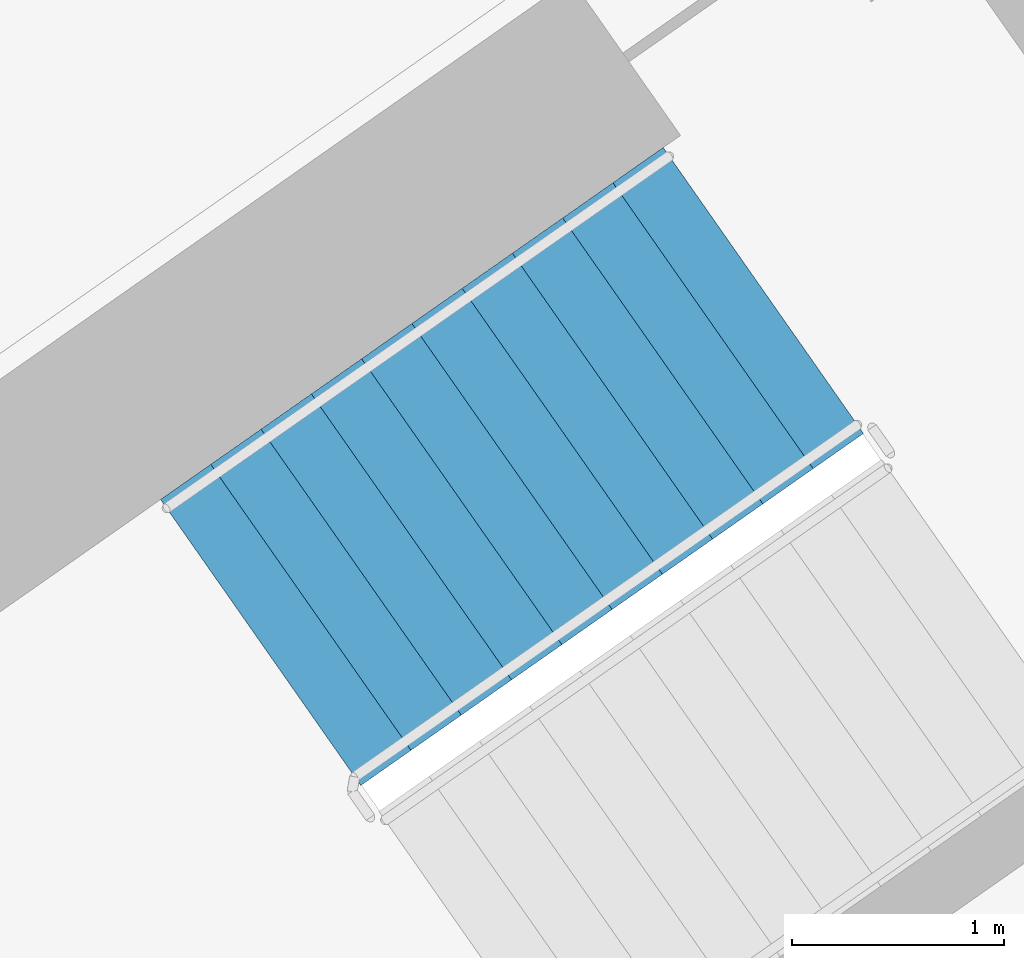
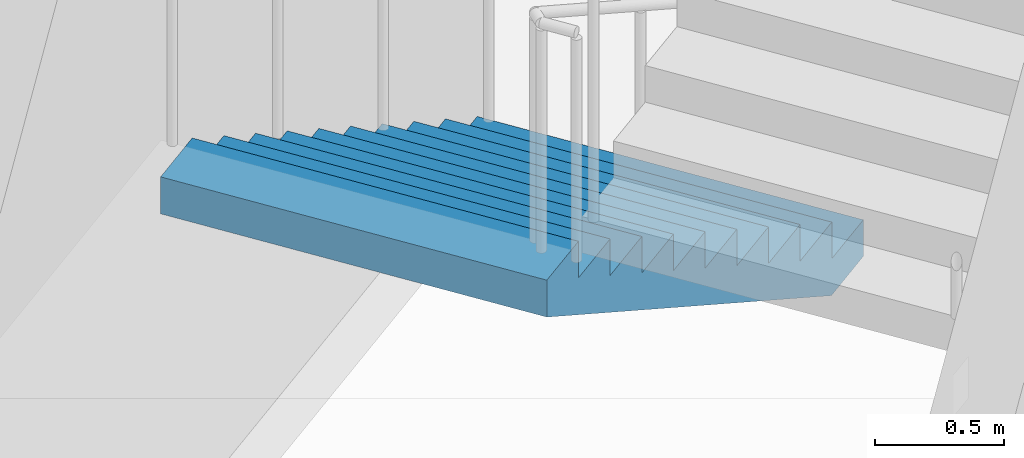
# One storey, part 14 of 29: 1 stair flight, 1 element without a shape of its own.
"""IFC4 building model written with IfcOpenShell, lengths in metres."""

from ifc_helpers import new_model, si_unit, direction, frame, origin, place, context, subcontext, project, spatial, faceted_brep, material, type_object, element, aggregate, save


model = new_model("IFC4")

# Units and contexts
model_context = context("Model", 3, precision=1e-05, world=origin(), true_north=direction((0.0, 1.0)))
body_context = subcontext(model_context, "Body", "Model", "MODEL_VIEW")
ifc_project = project(units=[si_unit("LENGTHUNIT", "METRE"), si_unit("AREAUNIT", "SQUARE_METRE"), si_unit("VOLUMEUNIT", "CUBIC_METRE"), si_unit("PLANEANGLEUNIT", "RADIAN"), si_unit("MASSUNIT", "GRAM", prefix="KILO")], contexts=[model_context])

# Site, building, storey
site_placement = place(None, origin())
site = spatial("IfcSite", under=ifc_project, at=site_placement, CompositionType="ELEMENT")
building_placement = place(site_placement, origin())
building = spatial("IfcBuilding", under=site, at=building_placement, Name="Qamariyya Broadcast Tower", CompositionType="ELEMENT")
storey_placement = place(building_placement, frame((0.0, 0.0, 44.300048828125)))
storey = spatial("IfcBuildingStorey", under=building, at=storey_placement, Name="L07", CompositionType="ELEMENT", Elevation=44.300048828125)

# Stair, stair flight
ifc_material = material(Name="Concrete C50/60", Category="concrete")
stair_type = type_object("IfcStairType", Name="Exit stair 22 risers of 173 mm", PredefinedType="HALF_TURN_STAIR", material=ifc_material)
stair_placement = place(storey_placement, origin())
stair = element("IfcStair", 1, at=stair_placement, inside=storey, type_object=stair_type, Name="L07 Stair E2", PredefinedType="HALF_TURN_STAIR")
stair_flight_type = type_object("IfcStairFlightType", Name="Exit stair flight 11 risers of 173 mm", PredefinedType="STRAIGHT", material=ifc_material)
stair_flight_placement = place(storey_placement, frame((40.558837890625, -47.685302734375, 0.0), z_axis=(0.0, 0.0, 1.0), x_axis=(-0.819152044289, -0.573576436351, 0.0)))
stair_flight = element("IfcStairFlight", 2, at=stair_flight_placement, type_object=stair_flight_type, Name="ST-E2 flight 1", NumberOfRisers=11, NumberOfTreads=10, PredefinedType="STRAIGHT", RiserHeight=0.172727273, TreadLength=0.29, context=body_context, shape_type="Brep", body=[
    faceted_brep([(0.0, 0.824951171875, 0.0), (0.0, 0.824951171875, 0.172607421875), (0.2900390625, 0.824951171875, 0.172607421875), (0.2900390625, 0.824951171875, 0.345458984375), (0.580078125, 0.824951171875, 0.345458984375), (0.580078125, 0.824951171875, 0.51806640625), (0.8701171875, 0.824951171875, 0.51806640625), (0.8701171875, 0.824951171875, 0.69091796875), (1.159912109375, 0.824951171875, 0.69091796875), (1.159912109375, 0.824951171875, 0.863525390625), (1.449951171875, 0.824951171875, 0.863525390625), (1.449951171875, 0.824951171875, 1.036376953125), (1.739990234375, 0.824951171875, 1.036376953125), (1.739990234375, 0.824951171875, 1.208984375), (2.030029296875, 0.824951171875, 1.208984375), (2.030029296875, 0.824951171875, 1.3818359375), (2.320068359375, 0.824951171875, 1.3818359375), (2.320068359375, 0.824951171875, 1.554443359375), (2.610107421875, 0.824951171875, 1.554443359375), (2.610107421875, 0.824951171875, 1.727294921875), (2.89990234375, 0.824951171875, 1.727294921875), (2.89990234375, 0.824951171875, 1.552734375), (0.29296875, 0.824951171875, 0.0), (0.29296875, -0.824951171875, 0.0), (2.89990234375, -0.824951171875, 1.552734375), (2.89990234375, -0.824951171875, 1.727294921875), (2.610107421875, -0.824951171875, 1.727294921875), (2.610107421875, -0.824951171875, 1.554443359375), (2.320068359375, -0.824951171875, 1.554443359375), (2.320068359375, -0.824951171875, 1.3818359375), (2.030029296875, -0.824951171875, 1.3818359375), (2.030029296875, -0.824951171875, 1.208984375), (1.739990234375, -0.824951171875, 1.208984375), (1.739990234375, -0.824951171875, 1.036376953125), (1.449951171875, -0.824951171875, 1.036376953125), (1.449951171875, -0.824951171875, 0.863525390625), (1.159912109375, -0.824951171875, 0.863525390625), (1.159912109375, -0.824951171875, 0.69091796875), (0.8701171875, -0.824951171875, 0.69091796875), (0.8701171875, -0.824951171875, 0.51806640625), (0.580078125, -0.824951171875, 0.51806640625), (0.580078125, -0.824951171875, 0.345458984375), (0.2900390625, -0.824951171875, 0.345458984375), (0.2900390625, -0.824951171875, 0.172607421875), (0.0, -0.824951171875, 0.172607421875), (0.0, -0.824951171875, 0.0), (0.0, 0.10009765625, 0.0), (0.0, 0.086669921875, 0.0), (0.0, 0.0732421875, 0.0), (0.0, 0.06005859375, 0.0), (0.0, 0.046630859375, 0.0), (0.0, 0.033447265625, 0.0), (0.0, 0.02001953125, 0.0), (0.0, 0.006591796875, 0.0), (0.0, -0.006591796875, 0.0), (0.0, -0.02001953125, 0.0), (0.0, -0.033447265625, 0.0), (0.0, -0.046630859375, 0.0), (0.0, -0.06005859375, 0.0), (0.0, -0.0732421875, 0.0), (0.0, -0.086669921875, 0.0), (0.0, -0.10009765625, 0.0), (0.0, -0.10009765625, 0.172607421875), (0.0, -0.086669921875, 0.172607421875), (0.0, -0.0732421875, 0.172607421875), (0.0, -0.06005859375, 0.172607421875), (0.0, -0.046630859375, 0.172607421875), (0.0, -0.033447265625, 0.172607421875), (0.0, -0.02001953125, 0.172607421875), (0.0, -0.006591796875, 0.172607421875), (0.0, 0.006591796875, 0.172607421875), (0.0, 0.02001953125, 0.172607421875), (0.0, 0.033447265625, 0.172607421875), (0.0, 0.046630859375, 0.172607421875), (0.0, 0.06005859375, 0.172607421875), (0.0, 0.0732421875, 0.172607421875), (0.0, 0.086669921875, 0.172607421875), (0.0, 0.10009765625, 0.172607421875), (0.2900390625, -0.10009765625, 0.172607421875), (0.2900390625, -0.086669921875, 0.172607421875), (0.2900390625, -0.0732421875, 0.172607421875), (0.2900390625, -0.06005859375, 0.172607421875), (0.2900390625, -0.046630859375, 0.172607421875), (0.2900390625, -0.033447265625, 0.172607421875), (0.2900390625, -0.02001953125, 0.172607421875), (0.2900390625, -0.006591796875, 0.172607421875), (0.2900390625, 0.006591796875, 0.172607421875), (0.2900390625, 0.02001953125, 0.172607421875), (0.2900390625, 0.033447265625, 0.172607421875), (0.2900390625, 0.046630859375, 0.172607421875), (0.2900390625, 0.06005859375, 0.172607421875), (0.2900390625, 0.0732421875, 0.172607421875), (0.2900390625, 0.086669921875, 0.172607421875), (0.2900390625, 0.10009765625, 0.172607421875), (0.2900390625, -0.10009765625, 0.345458984375), (0.2900390625, -0.086669921875, 0.345458984375), (0.2900390625, -0.0732421875, 0.345458984375), (0.2900390625, -0.06005859375, 0.345458984375), (0.2900390625, -0.046630859375, 0.345458984375), (0.2900390625, -0.033447265625, 0.345458984375), (0.2900390625, -0.02001953125, 0.345458984375), (0.2900390625, -0.006591796875, 0.345458984375), (0.2900390625, 0.006591796875, 0.345458984375), (0.2900390625, 0.02001953125, 0.345458984375), (0.2900390625, 0.033447265625, 0.345458984375), (0.2900390625, 0.046630859375, 0.345458984375), (0.2900390625, 0.06005859375, 0.345458984375), (0.2900390625, 0.0732421875, 0.345458984375), (0.2900390625, 0.086669921875, 0.345458984375), (0.2900390625, 0.10009765625, 0.345458984375), (0.580078125, -0.10009765625, 0.345458984375), (0.580078125, -0.086669921875, 0.345458984375), (0.580078125, -0.0732421875, 0.345458984375), (0.580078125, -0.06005859375, 0.345458984375), (0.580078125, -0.046630859375, 0.345458984375), (0.580078125, -0.033447265625, 0.345458984375), (0.580078125, -0.02001953125, 0.345458984375), (0.580078125, -0.006591796875, 0.345458984375), (0.580078125, 0.006591796875, 0.345458984375), (0.580078125, 0.02001953125, 0.345458984375), (0.580078125, 0.033447265625, 0.345458984375), (0.580078125, 0.046630859375, 0.345458984375), (0.580078125, 0.06005859375, 0.345458984375), (0.580078125, 0.0732421875, 0.345458984375), (0.580078125, 0.086669921875, 0.345458984375), (0.580078125, 0.10009765625, 0.345458984375), (0.580078125, -0.10009765625, 0.51806640625), (0.580078125, -0.086669921875, 0.51806640625), (0.580078125, -0.0732421875, 0.51806640625), (0.580078125, -0.06005859375, 0.51806640625), (0.580078125, -0.046630859375, 0.51806640625), (0.580078125, -0.033447265625, 0.51806640625), (0.580078125, -0.02001953125, 0.51806640625), (0.580078125, -0.006591796875, 0.51806640625), (0.580078125, 0.006591796875, 0.51806640625), (0.580078125, 0.02001953125, 0.51806640625), (0.580078125, 0.033447265625, 0.51806640625), (0.580078125, 0.046630859375, 0.51806640625), (0.580078125, 0.06005859375, 0.51806640625), (0.580078125, 0.0732421875, 0.51806640625), (0.580078125, 0.086669921875, 0.51806640625), (0.580078125, 0.10009765625, 0.51806640625), (0.8701171875, -0.10009765625, 0.51806640625), (0.8701171875, -0.086669921875, 0.51806640625), (0.8701171875, -0.0732421875, 0.51806640625), (0.8701171875, -0.06005859375, 0.51806640625), (0.8701171875, -0.046630859375, 0.51806640625), (0.8701171875, -0.033447265625, 0.51806640625), (0.8701171875, -0.02001953125, 0.51806640625), (0.8701171875, -0.006591796875, 0.51806640625), (0.8701171875, 0.006591796875, 0.51806640625), (0.8701171875, 0.02001953125, 0.51806640625), (0.8701171875, 0.033447265625, 0.51806640625), (0.8701171875, 0.046630859375, 0.51806640625), (0.8701171875, 0.06005859375, 0.51806640625), (0.8701171875, 0.0732421875, 0.51806640625), (0.8701171875, 0.086669921875, 0.51806640625), (0.8701171875, 0.10009765625, 0.51806640625), (0.8701171875, -0.10009765625, 0.69091796875), (0.8701171875, -0.086669921875, 0.69091796875), (0.8701171875, -0.0732421875, 0.69091796875), (0.8701171875, -0.06005859375, 0.69091796875), (0.8701171875, -0.046630859375, 0.69091796875), (0.8701171875, -0.033447265625, 0.69091796875), (0.8701171875, -0.02001953125, 0.69091796875), (0.8701171875, -0.006591796875, 0.69091796875), (0.8701171875, 0.006591796875, 0.69091796875), (0.8701171875, 0.02001953125, 0.69091796875), (0.8701171875, 0.033447265625, 0.69091796875), (0.8701171875, 0.046630859375, 0.69091796875), (0.8701171875, 0.06005859375, 0.69091796875), (0.8701171875, 0.0732421875, 0.69091796875), (0.8701171875, 0.086669921875, 0.69091796875), (0.8701171875, 0.10009765625, 0.69091796875), (1.159912109375, -0.10009765625, 0.69091796875), (1.159912109375, -0.086669921875, 0.69091796875), (1.159912109375, -0.0732421875, 0.69091796875), (1.159912109375, -0.06005859375, 0.69091796875), (1.159912109375, -0.046630859375, 0.69091796875), (1.159912109375, -0.033447265625, 0.69091796875), (1.159912109375, -0.02001953125, 0.69091796875), (1.159912109375, -0.006591796875, 0.69091796875), (1.159912109375, 0.006591796875, 0.69091796875), (1.159912109375, 0.02001953125, 0.69091796875), (1.159912109375, 0.033447265625, 0.69091796875), (1.159912109375, 0.046630859375, 0.69091796875), (1.159912109375, 0.06005859375, 0.69091796875), (1.159912109375, 0.0732421875, 0.69091796875), (1.159912109375, 0.086669921875, 0.69091796875), (1.159912109375, 0.10009765625, 0.69091796875), (1.159912109375, -0.10009765625, 0.863525390625), (1.159912109375, -0.086669921875, 0.863525390625), (1.159912109375, -0.0732421875, 0.863525390625), (1.159912109375, -0.06005859375, 0.863525390625), (1.159912109375, -0.046630859375, 0.863525390625), (1.159912109375, -0.033447265625, 0.863525390625), (1.159912109375, -0.02001953125, 0.863525390625), (1.159912109375, -0.006591796875, 0.863525390625), (1.159912109375, 0.006591796875, 0.863525390625), (1.159912109375, 0.02001953125, 0.863525390625), (1.159912109375, 0.033447265625, 0.863525390625), (1.159912109375, 0.046630859375, 0.863525390625), (1.159912109375, 0.06005859375, 0.863525390625), (1.159912109375, 0.0732421875, 0.863525390625), (1.159912109375, 0.086669921875, 0.863525390625), (1.159912109375, 0.10009765625, 0.863525390625), (1.449951171875, -0.10009765625, 0.863525390625), (1.449951171875, -0.086669921875, 0.863525390625), (1.449951171875, -0.0732421875, 0.863525390625), (1.449951171875, -0.06005859375, 0.863525390625), (1.449951171875, -0.046630859375, 0.863525390625), (1.449951171875, -0.033447265625, 0.863525390625), (1.449951171875, -0.02001953125, 0.863525390625), (1.449951171875, -0.006591796875, 0.863525390625), (1.449951171875, 0.006591796875, 0.863525390625), (1.449951171875, 0.02001953125, 0.863525390625), (1.449951171875, 0.033447265625, 0.863525390625), (1.449951171875, 0.046630859375, 0.863525390625), (1.449951171875, 0.06005859375, 0.863525390625), (1.449951171875, 0.0732421875, 0.863525390625), (1.449951171875, 0.086669921875, 0.863525390625), (1.449951171875, 0.10009765625, 0.863525390625), (1.449951171875, -0.10009765625, 1.036376953125), (1.449951171875, -0.086669921875, 1.036376953125), (1.449951171875, -0.0732421875, 1.036376953125), (1.449951171875, -0.06005859375, 1.036376953125), (1.449951171875, -0.046630859375, 1.036376953125), (1.449951171875, -0.033447265625, 1.036376953125), (1.449951171875, -0.02001953125, 1.036376953125), (1.449951171875, -0.006591796875, 1.036376953125), (1.449951171875, 0.006591796875, 1.036376953125), (1.449951171875, 0.02001953125, 1.036376953125), (1.449951171875, 0.033447265625, 1.036376953125), (1.449951171875, 0.046630859375, 1.036376953125), (1.449951171875, 0.06005859375, 1.036376953125), (1.449951171875, 0.0732421875, 1.036376953125), (1.449951171875, 0.086669921875, 1.036376953125), (1.449951171875, 0.10009765625, 1.036376953125), (1.739990234375, -0.10009765625, 1.036376953125), (1.739990234375, -0.086669921875, 1.036376953125), (1.739990234375, -0.0732421875, 1.036376953125), (1.739990234375, -0.06005859375, 1.036376953125), (1.739990234375, -0.046630859375, 1.036376953125), (1.739990234375, -0.033447265625, 1.036376953125), (1.739990234375, -0.02001953125, 1.036376953125), (1.739990234375, -0.006591796875, 1.036376953125), (1.739990234375, 0.006591796875, 1.036376953125), (1.739990234375, 0.02001953125, 1.036376953125), (1.739990234375, 0.033447265625, 1.036376953125), (1.739990234375, 0.046630859375, 1.036376953125), (1.739990234375, 0.06005859375, 1.036376953125), (1.739990234375, 0.0732421875, 1.036376953125), (1.739990234375, 0.086669921875, 1.036376953125), (1.739990234375, 0.10009765625, 1.036376953125), (1.739990234375, -0.10009765625, 1.208984375), (1.739990234375, -0.086669921875, 1.208984375), (1.739990234375, -0.0732421875, 1.208984375), (1.739990234375, -0.06005859375, 1.208984375), (1.739990234375, -0.046630859375, 1.208984375), (1.739990234375, -0.033447265625, 1.208984375), (1.739990234375, -0.02001953125, 1.208984375), (1.739990234375, -0.006591796875, 1.208984375), (1.739990234375, 0.006591796875, 1.208984375), (1.739990234375, 0.02001953125, 1.208984375), (1.739990234375, 0.033447265625, 1.208984375), (1.739990234375, 0.046630859375, 1.208984375), (1.739990234375, 0.06005859375, 1.208984375), (1.739990234375, 0.0732421875, 1.208984375), (1.739990234375, 0.086669921875, 1.208984375), (1.739990234375, 0.10009765625, 1.208984375), (2.030029296875, -0.10009765625, 1.208984375), (2.030029296875, -0.086669921875, 1.208984375), (2.030029296875, -0.0732421875, 1.208984375), (2.030029296875, -0.06005859375, 1.208984375), (2.030029296875, -0.046630859375, 1.208984375), (2.030029296875, -0.033447265625, 1.208984375), (2.030029296875, -0.02001953125, 1.208984375), (2.030029296875, -0.006591796875, 1.208984375), (2.030029296875, 0.006591796875, 1.208984375), (2.030029296875, 0.02001953125, 1.208984375), (2.030029296875, 0.033447265625, 1.208984375), (2.030029296875, 0.046630859375, 1.208984375), (2.030029296875, 0.06005859375, 1.208984375), (2.030029296875, 0.0732421875, 1.208984375), (2.030029296875, 0.086669921875, 1.208984375), (2.030029296875, 0.10009765625, 1.208984375), (2.030029296875, -0.10009765625, 1.3818359375), (2.030029296875, -0.086669921875, 1.3818359375), (2.030029296875, -0.0732421875, 1.3818359375), (2.030029296875, -0.06005859375, 1.3818359375), (2.030029296875, -0.046630859375, 1.3818359375), (2.030029296875, -0.033447265625, 1.3818359375), (2.030029296875, -0.02001953125, 1.3818359375), (2.030029296875, -0.006591796875, 1.3818359375), (2.030029296875, 0.006591796875, 1.3818359375), (2.030029296875, 0.02001953125, 1.3818359375), (2.030029296875, 0.033447265625, 1.3818359375), (2.030029296875, 0.046630859375, 1.3818359375), (2.030029296875, 0.06005859375, 1.3818359375), (2.030029296875, 0.0732421875, 1.3818359375), (2.030029296875, 0.086669921875, 1.3818359375), (2.030029296875, 0.10009765625, 1.3818359375), (2.320068359375, -0.10009765625, 1.3818359375), (2.320068359375, -0.086669921875, 1.3818359375), (2.320068359375, -0.0732421875, 1.3818359375), (2.320068359375, -0.06005859375, 1.3818359375), (2.320068359375, -0.046630859375, 1.3818359375), (2.320068359375, -0.033447265625, 1.3818359375), (2.320068359375, -0.02001953125, 1.3818359375), (2.320068359375, -0.006591796875, 1.3818359375), (2.320068359375, 0.006591796875, 1.3818359375), (2.320068359375, 0.02001953125, 1.3818359375), (2.320068359375, 0.033447265625, 1.3818359375), (2.320068359375, 0.046630859375, 1.3818359375), (2.320068359375, 0.06005859375, 1.3818359375), (2.320068359375, 0.0732421875, 1.3818359375), (2.320068359375, 0.086669921875, 1.3818359375), (2.320068359375, 0.10009765625, 1.3818359375), (2.320068359375, -0.10009765625, 1.554443359375), (2.320068359375, -0.086669921875, 1.554443359375), (2.320068359375, -0.0732421875, 1.554443359375), (2.320068359375, -0.06005859375, 1.554443359375), (2.320068359375, -0.046630859375, 1.554443359375), (2.320068359375, -0.033447265625, 1.554443359375), (2.320068359375, -0.02001953125, 1.554443359375), (2.320068359375, -0.006591796875, 1.554443359375), (2.320068359375, 0.006591796875, 1.554443359375), (2.320068359375, 0.02001953125, 1.554443359375), (2.320068359375, 0.033447265625, 1.554443359375), (2.320068359375, 0.046630859375, 1.554443359375), (2.320068359375, 0.06005859375, 1.554443359375), (2.320068359375, 0.0732421875, 1.554443359375), (2.320068359375, 0.086669921875, 1.554443359375), (2.320068359375, 0.10009765625, 1.554443359375), (2.610107421875, -0.10009765625, 1.554443359375), (2.610107421875, -0.086669921875, 1.554443359375), (2.610107421875, -0.0732421875, 1.554443359375), (2.610107421875, -0.06005859375, 1.554443359375), (2.610107421875, -0.046630859375, 1.554443359375), (2.610107421875, -0.033447265625, 1.554443359375), (2.610107421875, -0.02001953125, 1.554443359375), (2.610107421875, -0.006591796875, 1.554443359375), (2.610107421875, 0.006591796875, 1.554443359375), (2.610107421875, 0.02001953125, 1.554443359375), (2.610107421875, 0.033447265625, 1.554443359375), (2.610107421875, 0.046630859375, 1.554443359375), (2.610107421875, 0.06005859375, 1.554443359375), (2.610107421875, 0.0732421875, 1.554443359375), (2.610107421875, 0.086669921875, 1.554443359375), (2.610107421875, 0.10009765625, 1.554443359375), (2.610107421875, -0.10009765625, 1.727294921875), (2.610107421875, -0.086669921875, 1.727294921875), (2.610107421875, -0.0732421875, 1.727294921875), (2.610107421875, -0.06005859375, 1.727294921875), (2.610107421875, -0.046630859375, 1.727294921875), (2.610107421875, -0.033447265625, 1.727294921875), (2.610107421875, -0.02001953125, 1.727294921875), (2.610107421875, -0.006591796875, 1.727294921875), (2.610107421875, 0.006591796875, 1.727294921875), (2.610107421875, 0.02001953125, 1.727294921875), (2.610107421875, 0.033447265625, 1.727294921875), (2.610107421875, 0.046630859375, 1.727294921875), (2.610107421875, 0.06005859375, 1.727294921875), (2.610107421875, 0.0732421875, 1.727294921875), (2.610107421875, 0.086669921875, 1.727294921875), (2.610107421875, 0.10009765625, 1.727294921875), (2.89990234375, -0.10009765625, 1.727294921875), (2.89990234375, -0.086669921875, 1.727294921875), (2.89990234375, -0.0732421875, 1.727294921875), (2.89990234375, -0.06005859375, 1.727294921875), (2.89990234375, -0.046630859375, 1.727294921875), (2.89990234375, -0.033447265625, 1.727294921875), (2.89990234375, -0.02001953125, 1.727294921875), (2.89990234375, -0.006591796875, 1.727294921875), (2.89990234375, 0.006591796875, 1.727294921875), (2.89990234375, 0.02001953125, 1.727294921875), (2.89990234375, 0.033447265625, 1.727294921875), (2.89990234375, 0.046630859375, 1.727294921875), (2.89990234375, 0.06005859375, 1.727294921875), (2.89990234375, 0.0732421875, 1.727294921875), (2.89990234375, 0.086669921875, 1.727294921875), (2.89990234375, 0.10009765625, 1.727294921875), (2.89990234375, -0.10009765625, 1.552734375), (2.89990234375, -0.086669921875, 1.552734375), (2.89990234375, -0.0732421875, 1.552734375), (2.89990234375, -0.06005859375, 1.552734375), (2.89990234375, -0.046630859375, 1.552734375), (2.89990234375, -0.033447265625, 1.552734375), (2.89990234375, -0.02001953125, 1.552734375), (2.89990234375, -0.006591796875, 1.552734375), (2.89990234375, 0.006591796875, 1.552734375), (2.89990234375, 0.02001953125, 1.552734375), (2.89990234375, 0.033447265625, 1.552734375), (2.89990234375, 0.046630859375, 1.552734375), (2.89990234375, 0.06005859375, 1.552734375), (2.89990234375, 0.0732421875, 1.552734375), (2.89990234375, 0.086669921875, 1.552734375), (2.89990234375, 0.10009765625, 1.552734375), (0.29296875, -0.10009765625, 0.0), (0.29296875, -0.086669921875, 0.0), (0.29296875, -0.0732421875, 0.0), (0.29296875, -0.06005859375, 0.0), (0.29296875, -0.046630859375, 0.0), (0.29296875, -0.033447265625, 0.0), (0.29296875, -0.02001953125, 0.0), (0.29296875, -0.006591796875, 0.0), (0.29296875, 0.006591796875, 0.0), (0.29296875, 0.02001953125, 0.0), (0.29296875, 0.033447265625, 0.0), (0.29296875, 0.046630859375, 0.0), (0.29296875, 0.06005859375, 0.0), (0.29296875, 0.0732421875, 0.0), (0.29296875, 0.086669921875, 0.0), (0.29296875, 0.10009765625, 0.0)], [[[0, 1, 2, 3, 4, 5, 6, 7, 8, 9, 10, 11, 12, 13, 14, 15, 16, 17, 18, 19, 20, 21, 22]], [[23, 24, 25, 26, 27, 28, 29, 30, 31, 32, 33, 34, 35, 36, 37, 38, 39, 40, 41, 42, 43, 44, 45]], [[0, 46, 47, 48, 49, 50, 51, 52, 53, 54, 55, 56, 57, 58, 59, 60, 61, 45, 44, 62, 63, 64, 65, 66, 67, 68, 69, 70, 71, 72, 73, 74, 75, 76, 77, 1]], [[1, 77, 76, 75, 74, 73, 72, 71, 70, 69, 68, 67, 66, 65, 64, 63, 62, 44, 43, 78, 79, 80, 81, 82, 83, 84, 85, 86, 87, 88, 89, 90, 91, 92, 93, 2]], [[2, 93, 92, 91, 90, 89, 88, 87, 86, 85, 84, 83, 82, 81, 80, 79, 78, 43, 42, 94, 95, 96, 97, 98, 99, 100, 101, 102, 103, 104, 105, 106, 107, 108, 109, 3]], [[3, 109, 108, 107, 106, 105, 104, 103, 102, 101, 100, 99, 98, 97, 96, 95, 94, 42, 41, 110, 111, 112, 113, 114, 115, 116, 117, 118, 119, 120, 121, 122, 123, 124, 125, 4]], [[4, 125, 124, 123, 122, 121, 120, 119, 118, 117, 116, 115, 114, 113, 112, 111, 110, 41, 40, 126, 127, 128, 129, 130, 131, 132, 133, 134, 135, 136, 137, 138, 139, 140, 141, 5]], [[5, 141, 140, 139, 138, 137, 136, 135, 134, 133, 132, 131, 130, 129, 128, 127, 126, 40, 39, 142, 143, 144, 145, 146, 147, 148, 149, 150, 151, 152, 153, 154, 155, 156, 157, 6]], [[6, 157, 156, 155, 154, 153, 152, 151, 150, 149, 148, 147, 146, 145, 144, 143, 142, 39, 38, 158, 159, 160, 161, 162, 163, 164, 165, 166, 167, 168, 169, 170, 171, 172, 173, 7]], [[7, 173, 172, 171, 170, 169, 168, 167, 166, 165, 164, 163, 162, 161, 160, 159, 158, 38, 37, 174, 175, 176, 177, 178, 179, 180, 181, 182, 183, 184, 185, 186, 187, 188, 189, 8]], [[8, 189, 188, 187, 186, 185, 184, 183, 182, 181, 180, 179, 178, 177, 176, 175, 174, 37, 36, 190, 191, 192, 193, 194, 195, 196, 197, 198, 199, 200, 201, 202, 203, 204, 205, 9]], [[9, 205, 204, 203, 202, 201, 200, 199, 198, 197, 196, 195, 194, 193, 192, 191, 190, 36, 35, 206, 207, 208, 209, 210, 211, 212, 213, 214, 215, 216, 217, 218, 219, 220, 221, 10]], [[10, 221, 220, 219, 218, 217, 216, 215, 214, 213, 212, 211, 210, 209, 208, 207, 206, 35, 34, 222, 223, 224, 225, 226, 227, 228, 229, 230, 231, 232, 233, 234, 235, 236, 237, 11]], [[11, 237, 236, 235, 234, 233, 232, 231, 230, 229, 228, 227, 226, 225, 224, 223, 222, 34, 33, 238, 239, 240, 241, 242, 243, 244, 245, 246, 247, 248, 249, 250, 251, 252, 253, 12]], [[12, 253, 252, 251, 250, 249, 248, 247, 246, 245, 244, 243, 242, 241, 240, 239, 238, 33, 32, 254, 255, 256, 257, 258, 259, 260, 261, 262, 263, 264, 265, 266, 267, 268, 269, 13]], [[13, 269, 268, 267, 266, 265, 264, 263, 262, 261, 260, 259, 258, 257, 256, 255, 254, 32, 31, 270, 271, 272, 273, 274, 275, 276, 277, 278, 279, 280, 281, 282, 283, 284, 285, 14]], [[14, 285, 284, 283, 282, 281, 280, 279, 278, 277, 276, 275, 274, 273, 272, 271, 270, 31, 30, 286, 287, 288, 289, 290, 291, 292, 293, 294, 295, 296, 297, 298, 299, 300, 301, 15]], [[15, 301, 300, 299, 298, 297, 296, 295, 294, 293, 292, 291, 290, 289, 288, 287, 286, 30, 29, 302, 303, 304, 305, 306, 307, 308, 309, 310, 311, 312, 313, 314, 315, 316, 317, 16]], [[16, 317, 316, 315, 314, 313, 312, 311, 310, 309, 308, 307, 306, 305, 304, 303, 302, 29, 28, 318, 319, 320, 321, 322, 323, 324, 325, 326, 327, 328, 329, 330, 331, 332, 333, 17]], [[17, 333, 332, 331, 330, 329, 328, 327, 326, 325, 324, 323, 322, 321, 320, 319, 318, 28, 27, 334, 335, 336, 337, 338, 339, 340, 341, 342, 343, 344, 345, 346, 347, 348, 349, 18]], [[18, 349, 348, 347, 346, 345, 344, 343, 342, 341, 340, 339, 338, 337, 336, 335, 334, 27, 26, 350, 351, 352, 353, 354, 355, 356, 357, 358, 359, 360, 361, 362, 363, 364, 365, 19]], [[19, 365, 364, 363, 362, 361, 360, 359, 358, 357, 356, 355, 354, 353, 352, 351, 350, 26, 25, 366, 367, 368, 369, 370, 371, 372, 373, 374, 375, 376, 377, 378, 379, 380, 381, 20]], [[20, 381, 380, 379, 378, 377, 376, 375, 374, 373, 372, 371, 370, 369, 368, 367, 366, 25, 24, 382, 383, 384, 385, 386, 387, 388, 389, 390, 391, 392, 393, 394, 395, 396, 397, 21]], [[21, 397, 396, 395, 394, 393, 392, 391, 390, 389, 388, 387, 386, 385, 384, 383, 382, 24, 23, 398, 399, 400, 401, 402, 403, 404, 405, 406, 407, 408, 409, 410, 411, 412, 413, 22]], [[22, 413, 412, 411, 410, 409, 408, 407, 406, 405, 404, 403, 402, 401, 400, 399, 398, 23, 45, 61, 60, 59, 58, 57, 56, 55, 54, 53, 52, 51, 50, 49, 48, 47, 46, 0]]]),
])
aggregate(stair, [stair_flight])

save(model, "model.ifc")
